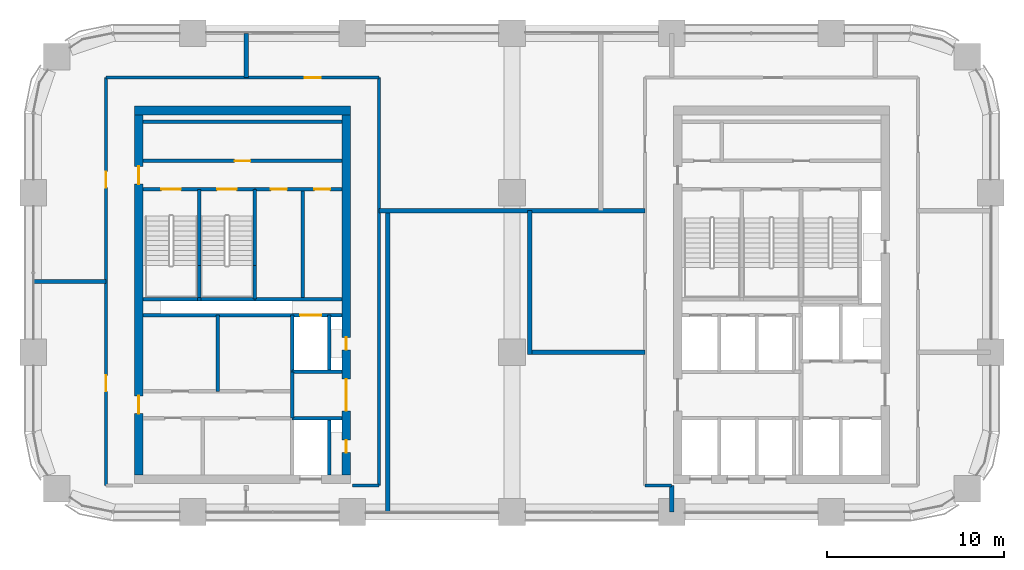
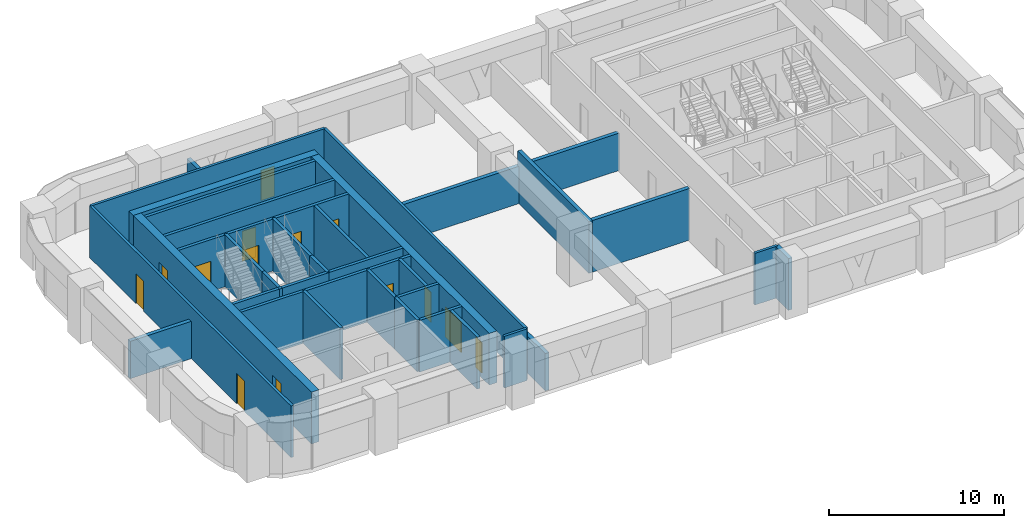
# One storey, part 9 of 14: 36 walls, 14 doors, 14 openings.
"""IFC4 building model written with IfcOpenShell, lengths in metres."""

from ifc_helpers import new_model, si_unit, direction, frame, frame_2d, origin, place, context, subcontext, project, spatial, rectangle, extrude, material, layer, layer_set, type_object, element, fill, save


model = new_model("IFC4")

# Units and contexts
model_context = context("Model", 3, precision=1e-05, world=origin(), true_north=direction((0.0, 1.0)))
body_context = subcontext(model_context, "Body", "Model", "MODEL_VIEW")
ifc_project = project(units=[si_unit("LENGTHUNIT", "METRE"), si_unit("AREAUNIT", "SQUARE_METRE"), si_unit("VOLUMEUNIT", "CUBIC_METRE"), si_unit("PLANEANGLEUNIT", "RADIAN"), si_unit("MASSUNIT", "GRAM", prefix="KILO")], contexts=[model_context])

# Site, building, storey
site_placement = place(None, origin())
site = spatial("IfcSite", under=ifc_project, at=site_placement, CompositionType="ELEMENT")
building_placement = place(site_placement, origin())
building = spatial("IfcBuilding", under=site, at=building_placement, Name="Tessera Arch", CompositionType="ELEMENT")
storey_placement = place(building_placement, frame((0.0, 0.0, 138.800048828125)))
storey = spatial("IfcBuildingStorey", under=building, at=storey_placement, Name="L32", CompositionType="ELEMENT", Elevation=138.800048828125)

# Walls
ifc_material_1 = material(Name="Gypsum board on steel stud", Category="steel")
ifc_layer_1 = layer(ifc_material_1, 0.125)
ifc_layer_set_1 = layer_set([ifc_layer_1], Name="Core partition 125 EI 60")
wall_type_1 = type_object("IfcWallType", Name="Core partition 125 EI 60", PredefinedType="PARTITIONING", material=ifc_layer_set_1)
wall_1_placement = place(storey_placement, frame((10.39990234375, 33.800048828125, 0.0), z_axis=(0.0, 0.0, 1.0), x_axis=(0.0, 1.0, 0.0)))
element("IfcWall", 1, at=wall_1_placement, inside=storey, type_object=wall_type_1, Name="L32 C2 partition wall 4", PredefinedType="PARTITIONING", context=body_context, shape_type="SweptSolid", body=[
    extrude(rectangle(XDim=4.300048828125, YDim=0.199951171875, at=frame_2d((2.14990234375, 0.0))), origin(), (0.0, 0.0, 1.0), 3.599853515625),
])
wall_2_placement = place(storey_placement, frame((14.60009765625, 32.300048828125, 0.0), z_axis=(0.0, 0.0, 1.0), x_axis=(0.0, 1.0, 0.0)))
element("IfcWall", 2, at=wall_2_placement, inside=storey, type_object=wall_type_1, Name="L32 C2 partition wall 7", PredefinedType="PARTITIONING", context=body_context, shape_type="SweptSolid", body=[
    extrude(rectangle(XDim=2.599853515625, YDim=0.199951171875, at=frame_2d((1.2998046875, 0.0))), origin(), (0.0, 0.0, 1.0), 3.599853515625),
])
wall_3_placement = place(storey_placement, frame((15.195068359375, 39.0, 0.0), z_axis=(0.0, 0.0, 1.0), x_axis=(0.0, 1.0, 0.0)))
element("IfcWall", 3, at=wall_3_placement, inside=storey, type_object=wall_type_1, Name="L32 C2 partition wall 10", PredefinedType="PARTITIONING", context=body_context, shape_type="SweptSolid", body=[
    extrude(rectangle(XDim=6.199951171875, YDim=0.199951171875, at=frame_2d((3.10009765625, 0.0))), origin(), (0.0, 0.0, 1.0), 3.599853515625),
])

# Wall, openings, doors
wall_4_placement = place(storey_placement, frame((12.5, 45.199951171875, 0.0), z_axis=(0.0, 0.0, 1.0), x_axis=(1.0, 0.0, 0.0)))
wall_4 = element("IfcWall", 4, at=wall_4_placement, inside=storey, type_object=wall_type_1, Name="L32 C2 partition wall 22", PredefinedType="PARTITIONING", context=body_context, shape_type="SweptSolid", body=[
    extrude(rectangle(XDim=4.89990234375, YDim=0.199951171875, at=frame_2d((2.449951171875, 0.0))), origin(), (0.0, 0.0, 1.0), 3.599853515625),
])
opening_1_placement = place(wall_4_placement, frame((0.8974609375, 0.0, 0.0)))
opening_1 = element("IfcOpeningElement", 5, at=opening_1_placement, cuts=wall_4, Name="Opening L32-C30", PredefinedType="OPENING", context=body_context, shape_type="SweptSolid", body=[
    extrude(rectangle(XDim=0.89990234375, YDim=2.10009765625, at=frame_2d((0.449951171875, 1.050048828125))), frame((0.0, 0.10986328125, 0.0), z_axis=(0.0, -1.0, 0.0), x_axis=(1.0, 0.0, 0.0)), (0.0, 0.0, 1.0), 0.219970703125),
])
opening_2_placement = place(wall_4_placement, frame((3.347412109375, 0.0, 0.0)))
opening_2 = element("IfcOpeningElement", 6, at=opening_2_placement, cuts=wall_4, Name="Opening L32-C31", PredefinedType="OPENING", context=body_context, shape_type="SweptSolid", body=[
    extrude(rectangle(XDim=0.89990234375, YDim=2.10009765625, at=frame_2d((0.449951171875, 1.050048828125))), frame((0.0, 0.10986328125, 0.0), z_axis=(0.0, -1.0, 0.0), x_axis=(1.0, 0.0, 0.0)), (0.0, 0.0, 1.0), 0.219970703125),
])
ifc_material_2 = material(Name="Steel door leaf", Category="steel")
door_type_1 = type_object("IfcDoorType", Name="Store door FD30S 900 x 2100", OperationType="SINGLE_SWING_LEFT", PredefinedType="DOOR", material=ifc_material_2)
door_1_placement = place(opening_1_placement, origin())
door_1 = element("IfcDoor", 7, at=door_1_placement, inside=storey, type_object=door_type_1, Name="L32 C2 door 11 C30 type D09", OperationType="SINGLE_SWING_LEFT", OverallHeight=2.10009765625, OverallWidth=0.89990234375, PredefinedType="DOOR", context=body_context, shape_type="SweptSolid", body=[
    extrude(rectangle(XDim=0.89990234375, YDim=2.10009765625, at=frame_2d((0.449951171875, 1.050048828125))), frame((0.0, 0.02490234375, 0.0), z_axis=(0.0, -1.0, 0.0), x_axis=(1.0, 0.0, 0.0)), (0.0, 0.0, 1.0), 0.050048828125),
])
fill(opening_1, door_1)
door_2_placement = place(opening_2_placement, origin())
door_2 = element("IfcDoor", 8, at=door_2_placement, inside=storey, type_object=door_type_1, Name="L32 C2 door 12 C31 type D09", OperationType="SINGLE_SWING_RIGHT", OverallHeight=2.10009765625, OverallWidth=0.89990234375, PredefinedType="DOOR", context=body_context, shape_type="SweptSolid", body=[
    extrude(rectangle(XDim=0.89990234375, YDim=2.10009765625, at=frame_2d((0.449951171875, 1.050048828125))), frame((0.0, 0.02490234375, 0.0), z_axis=(0.0, -1.0, 0.0), x_axis=(1.0, 0.0, 0.0)), (0.0, 0.0, 1.0), 0.050048828125),
])
fill(opening_2, door_2)

# Wall, opening, door
wall_5_placement = place(storey_placement, frame((6.199951171875, 46.800048828125, 0.0), z_axis=(0.0, 0.0, 1.0), x_axis=(1.0, 0.0, 0.0)))
wall_5 = element("IfcWall", 9, at=wall_5_placement, inside=storey, type_object=wall_type_1, Name="L32 C2 partition wall 24", PredefinedType="PARTITIONING", context=body_context, shape_type="SweptSolid", body=[
    extrude(rectangle(XDim=11.199951171875, YDim=0.199951171875, at=frame_2d((5.60009765625, 0.0))), origin(), (0.0, 0.0, 1.0), 3.599853515625),
])
opening_3_placement = place(wall_5_placement, frame((5.14990234375, 0.0, 0.0)))
opening_3 = element("IfcOpeningElement", 10, at=opening_3_placement, cuts=wall_5, Name="Opening L32-C29", PredefinedType="OPENING", context=body_context, shape_type="SweptSolid", body=[
    extrude(rectangle(XDim=0.89990234375, YDim=2.10009765625, at=frame_2d((0.449951171875, 1.050048828125))), frame((0.0, 0.10986328125, 0.0), z_axis=(0.0, -1.0, 0.0), x_axis=(1.0, 0.0, 0.0)), (0.0, 0.0, 1.0), 0.219970703125),
])
door_3_placement = place(opening_3_placement, origin())
door_3 = element("IfcDoor", 11, at=door_3_placement, inside=storey, type_object=door_type_1, Name="L32 C2 door 10 C29 type D09", OperationType="SINGLE_SWING_RIGHT", OverallHeight=2.10009765625, OverallWidth=0.89990234375, PredefinedType="DOOR", context=body_context, shape_type="SweptSolid", body=[
    extrude(rectangle(XDim=0.89990234375, YDim=2.10009765625, at=frame_2d((0.449951171875, 1.050048828125))), frame((0.0, 0.02490234375, 0.0), z_axis=(0.0, -1.0, 0.0), x_axis=(1.0, 0.0, 0.0)), (0.0, 0.0, 1.0), 0.050048828125),
])
fill(opening_3, door_3)

# Walls
wall_6_placement = place(storey_placement, frame((6.199951171875, 49.0, 0.0), z_axis=(0.0, 0.0, 1.0), x_axis=(1.0, 0.0, 0.0)))
element("IfcWall", 12, at=wall_6_placement, inside=storey, type_object=wall_type_1, Name="L32 C2 partition wall 25", PredefinedType="PARTITIONING", context=body_context, shape_type="SweptSolid", body=[
    extrude(rectangle(XDim=11.199951171875, YDim=0.199951171875, at=frame_2d((5.60009765625, 0.0))), origin(), (0.0, 0.0, 1.0), 3.599853515625),
])
ifc_material_3 = material(Name="Concrete C60/75", Category="concrete")
ifc_layer_2 = layer(ifc_material_3, 0.5)
ifc_layer_set_2 = layer_set([ifc_layer_2], Name="Core shell wall 500 C60-75")
wall_type_2 = type_object("IfcWallType", Name="Core shell wall 500 C60-75", PredefinedType="SHEAR", material=ifc_layer_set_2)
wall_7_placement = place(storey_placement, frame((5.699951171875, 49.64990234375, 0.0), z_axis=(0.0, 0.0, 1.0), x_axis=(1.0, 0.0, 0.0)))
element("IfcWall", 13, at=wall_7_placement, inside=storey, type_object=wall_type_2, Name="L32 C2 core wall N", PredefinedType="SHEAR", context=body_context, shape_type="SweptSolid", body=[
    extrude(rectangle(XDim=12.199951171875, YDim=0.5, at=frame_2d((6.10009765625, 0.0))), origin(), (0.0, 0.0, 1.0), 3.599853515625),
])

# Wall, openings, doors
wall_8_placement = place(storey_placement, frame((5.949951171875, 29.10009765625, 0.0), z_axis=(0.0, 0.0, 1.0), x_axis=(0.0, 1.0, 0.0)))
wall_8 = element("IfcWall", 14, at=wall_8_placement, inside=storey, type_object=wall_type_2, Name="L32 C2 core wall W", PredefinedType="SHEAR", context=body_context, shape_type="SweptSolid", body=[
    extrude(rectangle(XDim=20.2998046875, YDim=0.5, at=frame_2d((10.14990234375, 0.0))), origin(), (0.0, 0.0, 1.0), 3.599853515625),
])
opening_4_placement = place(wall_8_placement, frame((3.449951171875, 0.0, 0.0)))
opening_4 = element("IfcOpeningElement", 15, at=opening_4_placement, cuts=wall_8, Name="Opening L32-C27", PredefinedType="OPENING", context=body_context, shape_type="SweptSolid", body=[
    extrude(rectangle(XDim=1.0, YDim=2.10009765625, at=frame_2d((0.5, 1.050048828125))), frame((0.0, 0.260009765625, 0.0), z_axis=(0.0, -1.0, 0.0), x_axis=(1.0, 0.0, 0.0)), (0.0, 0.0, 1.0), 0.52001953125),
])
opening_5_placement = place(wall_8_placement, frame((16.39990234375, 0.0, 0.0)))
opening_5 = element("IfcOpeningElement", 16, at=opening_5_placement, cuts=wall_8, Name="Opening L32-C28", PredefinedType="OPENING", context=body_context, shape_type="SweptSolid", body=[
    extrude(rectangle(XDim=1.0, YDim=2.10009765625, at=frame_2d((0.5, 1.050048828125))), frame((0.0, 0.260009765625, 0.0), z_axis=(0.0, -1.0, 0.0), x_axis=(1.0, 0.0, 0.0)), (0.0, 0.0, 1.0), 0.52001953125),
])
ifc_material_4 = material(Name="Steel door leaf", Category="steel")
door_type_2 = type_object("IfcDoorType", Name="Corridor door FD60 1000 x 2100", OperationType="SINGLE_SWING_LEFT", PredefinedType="DOOR", material=ifc_material_4)
door_4_placement = place(opening_4_placement, origin())
door_4 = element("IfcDoor", 17, at=door_4_placement, inside=storey, type_object=door_type_2, Name="L32 C2 door 8 C27 type D12", OperationType="SINGLE_SWING_LEFT", OverallHeight=2.10009765625, OverallWidth=1.0, PredefinedType="DOOR", context=body_context, shape_type="SweptSolid", body=[
    extrude(rectangle(XDim=1.0, YDim=2.10009765625, at=frame_2d((0.5, 1.050048828125))), frame((0.0, 0.02490234375, 0.0), z_axis=(0.0, -1.0, 0.0), x_axis=(1.0, 0.0, 0.0)), (0.0, 0.0, 1.0), 0.050048828125),
])
fill(opening_4, door_4)
door_5_placement = place(opening_5_placement, origin())
door_5 = element("IfcDoor", 18, at=door_5_placement, inside=storey, type_object=door_type_2, Name="L32 C2 door 9 C28 type D12", OperationType="SINGLE_SWING_RIGHT", OverallHeight=2.10009765625, OverallWidth=1.0, PredefinedType="DOOR", context=body_context, shape_type="SweptSolid", body=[
    extrude(rectangle(XDim=1.0, YDim=2.10009765625, at=frame_2d((0.5, 1.050048828125))), frame((0.0, 0.02490234375, 0.0), z_axis=(0.0, -1.0, 0.0), x_axis=(1.0, 0.0, 0.0)), (0.0, 0.0, 1.0), 0.050048828125),
])
fill(opening_5, door_5)

wall_9_placement = place(storey_placement, frame((17.64990234375, 29.10009765625, 0.0), z_axis=(0.0, 0.0, 1.0), x_axis=(0.0, 1.0, 0.0)))
wall_9 = element("IfcWall", 19, at=wall_9_placement, inside=storey, type_object=wall_type_2, Name="L32 C2 core wall E", PredefinedType="SHEAR", context=body_context, shape_type="SweptSolid", body=[
    extrude(rectangle(XDim=20.2998046875, YDim=0.5, at=frame_2d((10.14990234375, 0.0))), origin(), (0.0, 0.0, 1.0), 3.599853515625),
])
opening_6_placement = place(wall_9_placement, frame((1.25, 0.0, 0.0)))
opening_6 = element("IfcOpeningElement", 20, at=opening_6_placement, cuts=wall_9, Name="Opening L32-C22", PredefinedType="OPENING", context=body_context, shape_type="SweptSolid", body=[
    extrude(rectangle(XDim=0.699951171875, YDim=2.10009765625, at=frame_2d((0.35009765625, 1.050048828125))), frame((0.0, 0.260009765625, 0.0), z_axis=(0.0, -1.0, 0.0), x_axis=(1.0, 0.0, 0.0)), (0.0, 0.0, 1.0), 0.52001953125),
])
opening_7_placement = place(wall_9_placement, frame((7.050048828125, 0.0, 0.0)))
opening_7 = element("IfcOpeningElement", 21, at=opening_7_placement, cuts=wall_9, Name="Opening L32-C23", PredefinedType="OPENING", context=body_context, shape_type="SweptSolid", body=[
    extrude(rectangle(XDim=0.699951171875, YDim=2.10009765625, at=frame_2d((0.35009765625, 1.050048828125))), frame((0.0, 0.260009765625, 0.0), z_axis=(0.0, -1.0, 0.0), x_axis=(1.0, 0.0, 0.0)), (0.0, 0.0, 1.0), 0.52001953125),
])
opening_8_placement = place(wall_9_placement, frame((3.60009765625, 0.0, 0.0)))
opening_8 = element("IfcOpeningElement", 22, at=opening_8_placement, cuts=wall_9, Name="Opening L32-C26", PredefinedType="OPENING", context=body_context, shape_type="SweptSolid", body=[
    extrude(rectangle(XDim=1.800048828125, YDim=2.10009765625, at=frame_2d((0.89990234375, 1.050048828125))), frame((0.0, 0.260009765625, 0.0), z_axis=(0.0, -1.0, 0.0), x_axis=(1.0, 0.0, 0.0)), (0.0, 0.0, 1.0), 0.52001953125),
])
ifc_material_5 = material(Name="Glazed steel door leaf", Category="steel")
door_type_3 = type_object("IfcDoorType", Name="Lobby double door FD30S 1800 x 2100", OperationType="DOUBLE_DOOR_SINGLE_SWING", PredefinedType="DOOR", material=ifc_material_5)
door_6_placement = place(opening_8_placement, origin())
door_6 = element("IfcDoor", 23, at=door_6_placement, inside=storey, type_object=door_type_3, Name="L32 C2 door 7 C26 type D06", OperationType="DOUBLE_DOOR_SINGLE_SWING", OverallHeight=2.10009765625, OverallWidth=1.800048828125, PredefinedType="DOOR", context=body_context, shape_type="SweptSolid", body=[
    extrude(rectangle(XDim=1.800048828125, YDim=2.10009765625, at=frame_2d((0.89990234375, 1.050048828125))), frame((0.0, 0.02490234375, 0.0), z_axis=(0.0, -1.0, 0.0), x_axis=(1.0, 0.0, 0.0)), (0.0, 0.0, 1.0), 0.050048828125),
])
fill(opening_8, door_6)
ifc_material_6 = material(Name="Steel door leaf", Category="steel")
door_type_4 = type_object("IfcDoorType", Name="Service shaft door FD60 700 x 2100", OperationType="SINGLE_SWING_LEFT", PredefinedType="DOOR", material=ifc_material_6)
door_7_placement = place(opening_6_placement, origin())
door_7 = element("IfcDoor", 24, at=door_7_placement, inside=storey, type_object=door_type_4, Name="L32 C2 door 3 C22 type D07", OperationType="SINGLE_SWING_LEFT", OverallHeight=2.10009765625, OverallWidth=0.699951171875, PredefinedType="DOOR", context=body_context, shape_type="SweptSolid", body=[
    extrude(rectangle(XDim=0.699951171875, YDim=2.10009765625, at=frame_2d((0.35009765625, 1.050048828125))), frame((0.0, 0.02490234375, 0.0), z_axis=(0.0, -1.0, 0.0), x_axis=(1.0, 0.0, 0.0)), (0.0, 0.0, 1.0), 0.050048828125),
])
fill(opening_6, door_7)
door_8_placement = place(opening_7_placement, origin())
door_8 = element("IfcDoor", 25, at=door_8_placement, inside=storey, type_object=door_type_4, Name="L32 C2 door 4 C23 type D07", OperationType="SINGLE_SWING_LEFT", OverallHeight=2.10009765625, OverallWidth=0.699951171875, PredefinedType="DOOR", context=body_context, shape_type="SweptSolid", body=[
    extrude(rectangle(XDim=0.699951171875, YDim=2.10009765625, at=frame_2d((0.35009765625, 1.050048828125))), frame((0.0, 0.02490234375, 0.0), z_axis=(0.0, -1.0, 0.0), x_axis=(1.0, 0.0, 0.0)), (0.0, 0.0, 1.0), 0.050048828125),
])
fill(opening_7, door_8)

# Walls
ifc_material_7 = material(Name="Gypsum board on deep steel stud with mineral wool", Category="steel")
ifc_layer_3 = layer(ifc_material_7, 0.175048828125)
ifc_layer_set_3 = layer_set([ifc_layer_3], Name="Corridor wall 175 EI 60")
wall_type_3 = type_object("IfcWallType", Name="Corridor wall 175 EI 60", PredefinedType="PARTITIONING", material=ifc_layer_set_3)
for number, where, z_axis, x_axis, name in (
    (26, (18.0, 28.5, 0.0), (0.0, 0.0, 1.0), (1.0, 0.0, 0.0), "L32 partition 2"),
    (27, (34.5, 28.5, 0.0), (0.0, 0.0, 1.0), (1.0, 0.0, 0.0), "L32 partition 3"),
):
    element("IfcWall", number, at=place(storey_placement, frame(where, z_axis=z_axis, x_axis=x_axis)), inside=storey, type_object=wall_type_3, Name=name, PredefinedType="PARTITIONING", context=body_context, shape_type="SweptSolid", body=[
        extrude(rectangle(XDim=1.5, YDim=0.175048828125, at=frame_2d((0.75, 0.0))), origin(), (0.0, 0.0, 1.0), 3.599853515625),
    ])

# Wall, opening, door
wall_10_placement = place(storey_placement, frame((4.10009765625, 51.5, 0.0), z_axis=(0.0, 0.0, 1.0), x_axis=(1.0, 0.0, 0.0)))
wall_10 = element("IfcWall", 28, at=wall_10_placement, inside=storey, type_object=wall_type_3, Name="L32 partition 5", PredefinedType="PARTITIONING", context=body_context, shape_type="SweptSolid", body=[
    extrude(rectangle(XDim=15.39990234375, YDim=0.175048828125, at=frame_2d((7.699951171875, 0.0))), origin(), (0.0, 0.0, 1.0), 3.599853515625),
])
opening_9_placement = place(wall_10_placement, frame((11.199951171875, 0.0, 0.0)))
opening_9 = element("IfcOpeningElement", 29, at=opening_9_placement, cuts=wall_10, Name="Opening L32-D008", PredefinedType="OPENING", context=body_context, shape_type="SweptSolid", body=[
    extrude(rectangle(XDim=0.89990234375, YDim=2.10009765625, at=frame_2d((0.449951171875, 1.050048828125))), frame((0.0, 0.097412109375, 0.0), z_axis=(0.0, -1.0, 0.0), x_axis=(1.0, 0.0, 0.0)), (0.0, 0.0, 1.0), 0.195068359375),
])
ifc_material_8 = material(Name="Timber door leaf", Category="wood")
door_type_5 = type_object("IfcDoorType", Name="Room door 900 x 2100", OperationType="SINGLE_SWING_LEFT", PredefinedType="DOOR", material=ifc_material_8)
door_9_placement = place(opening_9_placement, origin())
door_9 = element("IfcDoor", 30, at=door_9_placement, inside=storey, type_object=door_type_5, Name="L32 door D008 type D01", OperationType="SINGLE_SWING_LEFT", OverallHeight=2.10009765625, OverallWidth=0.89990234375, PredefinedType="DOOR", context=body_context, shape_type="SweptSolid", body=[
    extrude(rectangle(XDim=0.89990234375, YDim=2.10009765625, at=frame_2d((0.449951171875, 1.050048828125))), frame((0.0, 0.02490234375, 0.0), z_axis=(0.0, -1.0, 0.0), x_axis=(1.0, 0.0, 0.0)), (0.0, 0.0, 1.0), 0.050048828125),
])
fill(opening_9, door_9)

# Wall, openings, doors
wall_11_placement = place(storey_placement, frame((4.10009765625, 28.5, 0.0), z_axis=(0.0, 0.0, 1.0), x_axis=(0.0, 1.0, 0.0)))
wall_11 = element("IfcWall", 31, at=wall_11_placement, inside=storey, type_object=wall_type_3, Name="L32 partition 7", PredefinedType="PARTITIONING", context=body_context, shape_type="SweptSolid", body=[
    extrude(rectangle(XDim=23.0, YDim=0.175048828125, at=frame_2d((11.5, 0.0))), origin(), (0.0, 0.0, 1.0), 3.599853515625),
])
opening_10_placement = place(wall_11_placement, frame((5.300048828125, 0.0, 0.0)))
opening_10 = element("IfcOpeningElement", 32, at=opening_10_placement, cuts=wall_11, Name="Opening L32-D002", PredefinedType="OPENING", context=body_context, shape_type="SweptSolid", body=[
    extrude(rectangle(XDim=0.89990234375, YDim=2.10009765625, at=frame_2d((0.449951171875, 1.050048828125))), frame((0.0, 0.097412109375, 0.0), z_axis=(0.0, -1.0, 0.0), x_axis=(1.0, 0.0, 0.0)), (0.0, 0.0, 1.0), 0.195068359375),
])
opening_11_placement = place(wall_11_placement, frame((16.800048828125, 0.0, 0.0)))
opening_11 = element("IfcOpeningElement", 33, at=opening_11_placement, cuts=wall_11, Name="Opening L32-D006", PredefinedType="OPENING", context=body_context, shape_type="SweptSolid", body=[
    extrude(rectangle(XDim=0.89990234375, YDim=2.10009765625, at=frame_2d((0.449951171875, 1.050048828125))), frame((0.0, 0.097412109375, 0.0), z_axis=(0.0, -1.0, 0.0), x_axis=(1.0, 0.0, 0.0)), (0.0, 0.0, 1.0), 0.195068359375),
])
door_10_placement = place(opening_10_placement, origin())
door_10 = element("IfcDoor", 34, at=door_10_placement, inside=storey, type_object=door_type_5, Name="L32 door D002 type D01", OperationType="SINGLE_SWING_LEFT", OverallHeight=2.10009765625, OverallWidth=0.89990234375, PredefinedType="DOOR", context=body_context, shape_type="SweptSolid", body=[
    extrude(rectangle(XDim=0.89990234375, YDim=2.10009765625, at=frame_2d((0.449951171875, 1.050048828125))), frame((0.0, 0.02490234375, 0.0), z_axis=(0.0, -1.0, 0.0), x_axis=(1.0, 0.0, 0.0)), (0.0, 0.0, 1.0), 0.050048828125),
])
fill(opening_10, door_10)
door_11_placement = place(opening_11_placement, origin())
door_11 = element("IfcDoor", 35, at=door_11_placement, inside=storey, type_object=door_type_5, Name="L32 door D006 type D01", OperationType="SINGLE_SWING_LEFT", OverallHeight=2.10009765625, OverallWidth=0.89990234375, PredefinedType="DOOR", context=body_context, shape_type="SweptSolid", body=[
    extrude(rectangle(XDim=0.89990234375, YDim=2.10009765625, at=frame_2d((0.449951171875, 1.050048828125))), frame((0.0, 0.02490234375, 0.0), z_axis=(0.0, -1.0, 0.0), x_axis=(1.0, 0.0, 0.0)), (0.0, 0.0, 1.0), 0.050048828125),
])
fill(opening_11, door_11)

# Walls
wall_12_placement = place(storey_placement, frame((19.5, 28.5, 0.0), z_axis=(0.0, 0.0, 1.0), x_axis=(0.0, 1.0, 0.0)))
element("IfcWall", 36, at=wall_12_placement, inside=storey, type_object=wall_type_3, Name="L32 partition 8", PredefinedType="PARTITIONING", context=body_context, shape_type="SweptSolid", body=[
    extrude(rectangle(XDim=23.0, YDim=0.175048828125, at=frame_2d((11.5, 0.0))), origin(), (0.0, 0.0, 1.0), 3.599853515625),
])
ifc_material_9 = material(Name="Double gypsum board on twin steel stud with acoustic mineral wool", Category="steel")
ifc_layer_4 = layer(ifc_material_9, 0.25)
ifc_layer_set_4 = layer_set([ifc_layer_4], Name="Party wall 250 EI 60")
wall_type_4 = type_object("IfcWallType", Name="Party wall 250 EI 60", PredefinedType="PARTITIONING", material=ifc_layer_set_4)
wall_13_placement = place(storey_placement, frame((28.125, 36.0, 0.0), z_axis=(0.0, 0.0, 1.0), x_axis=(1.0, 0.0, 0.0)))
element("IfcWall", 37, at=wall_13_placement, inside=storey, type_object=wall_type_4, Name="L32 partition 11", PredefinedType="PARTITIONING", context=body_context, shape_type="SweptSolid", body=[
    extrude(rectangle(XDim=6.375, YDim=0.25, at=frame_2d((3.1875, 0.0))), origin(), (0.0, 0.0, 1.0), 3.599853515625),
])
wall_14_placement = place(storey_placement, frame((0.0, 40.0, 0.0), z_axis=(0.0, 0.0, 1.0), x_axis=(1.0, 0.0, 0.0)))
element("IfcWall", 38, at=wall_14_placement, inside=storey, type_object=wall_type_4, Name="L32 partition 13", PredefinedType="PARTITIONING", context=body_context, shape_type="SweptSolid", body=[
    extrude(rectangle(XDim=4.10009765625, YDim=0.25, at=frame_2d((2.050048828125, 0.0))), origin(), (0.0, 0.0, 1.0), 2.599853515625),
])
wall_15_placement = place(storey_placement, frame((19.5, 44.0, 0.0), z_axis=(0.0, 0.0, 1.0), x_axis=(1.0, 0.0, 0.0)))
element("IfcWall", 39, at=wall_15_placement, inside=storey, type_object=wall_type_4, Name="L32 partition 14", PredefinedType="PARTITIONING", context=body_context, shape_type="SweptSolid", body=[
    extrude(rectangle(XDim=15.0, YDim=0.25, at=frame_2d((7.5, 0.0))), origin(), (0.0, 0.0, 1.0), 2.599853515625),
])
wall_16_placement = place(storey_placement, frame((12.0, 51.5, 0.0), z_axis=(0.0, 0.0, 1.0), x_axis=(0.0, 1.0, 0.0)))
element("IfcWall", 40, at=wall_16_placement, inside=storey, type_object=wall_type_4, Name="L32 partition 17", PredefinedType="PARTITIONING", context=body_context, shape_type="SweptSolid", body=[
    extrude(rectangle(XDim=2.5, YDim=0.25, at=frame_2d((1.25, 0.0))), origin(), (0.0, 0.0, 1.0), 2.599853515625),
])
wall_17_placement = place(storey_placement, frame((20.0, 27.0, 0.0), z_axis=(0.0, 0.0, 1.0), x_axis=(0.0, 1.0, 0.0)))
element("IfcWall", 41, at=wall_17_placement, inside=storey, type_object=wall_type_4, Name="L32 partition 18", PredefinedType="PARTITIONING", context=body_context, shape_type="SweptSolid", body=[
    extrude(rectangle(XDim=17.0, YDim=0.25, at=frame_2d((8.5, 0.0))), origin(), (0.0, 0.0, 1.0), 2.599853515625),
])
wall_18_placement = place(storey_placement, frame((28.0, 35.875, 0.0), z_axis=(0.0, 0.0, 1.0), x_axis=(0.0, 1.0, 0.0)))
element("IfcWall", 42, at=wall_18_placement, inside=storey, type_object=wall_type_4, Name="L32 partition 19", PredefinedType="PARTITIONING", context=body_context, shape_type="SweptSolid", body=[
    extrude(rectangle(XDim=8.125, YDim=0.25, at=frame_2d((4.0625, 0.0))), origin(), (0.0, 0.0, 1.0), 3.599853515625),
])
wall_19_placement = place(storey_placement, frame((36.0, 27.0, 0.0), z_axis=(0.0, 0.0, 1.0), x_axis=(0.0, 1.0, 0.0)))
element("IfcWall", 43, at=wall_19_placement, inside=storey, type_object=wall_type_4, Name="L32 partition 21", PredefinedType="PARTITIONING", context=body_context, shape_type="SweptSolid", body=[
    extrude(rectangle(XDim=1.5, YDim=0.25, at=frame_2d((0.75, 0.0))), origin(), (0.0, 0.0, 1.0), 3.599853515625),
])
ifc_material_10 = material(Name="Concrete C40/50", Category="concrete")
ifc_layer_5 = layer(ifc_material_10, 0.199951171875)
ifc_layer_set_5 = layer_set([ifc_layer_5], Name="Shaft wall 200 EI 120")
wall_type_5 = type_object("IfcWallType", Name="Shaft wall 200 EI 120", PredefinedType="SOLIDWALL", material=ifc_layer_set_5)
wall_20_placement = place(storey_placement, frame((14.60009765625, 34.89990234375, 0.0), z_axis=(0.0, 0.0, 1.0), x_axis=(0.0, 1.0, 0.0)))
element("IfcWall", 44, at=wall_20_placement, inside=storey, type_object=wall_type_5, Name="L32 C2 shaft wall 9", PredefinedType="SOLIDWALL", context=body_context, shape_type="SweptSolid", body=[
    extrude(rectangle(XDim=3.2001953125, YDim=0.199951171875, at=frame_2d((1.60009765625, 0.0))), origin(), (0.0, 0.0, 1.0), 3.599853515625),
])
wall_21_placement = place(storey_placement, frame((16.699951171875, 29.10009765625, 0.0), z_axis=(0.0, 0.0, 1.0), x_axis=(0.0, 1.0, 0.0)))
element("IfcWall", 45, at=wall_21_placement, inside=storey, type_object=wall_type_5, Name="L32 C2 shaft wall 11", PredefinedType="SOLIDWALL", context=body_context, shape_type="SweptSolid", body=[
    extrude(rectangle(XDim=3.199951171875, YDim=0.199951171875, at=frame_2d((1.60009765625, 0.0))), origin(), (0.0, 0.0, 1.0), 3.599853515625),
])
wall_22_placement = place(storey_placement, frame((16.699951171875, 34.89990234375, 0.0), z_axis=(0.0, 0.0, 1.0), x_axis=(0.0, 1.0, 0.0)))
element("IfcWall", 46, at=wall_22_placement, inside=storey, type_object=wall_type_5, Name="L32 C2 shaft wall 12", PredefinedType="SOLIDWALL", context=body_context, shape_type="SweptSolid", body=[
    extrude(rectangle(XDim=3.2001953125, YDim=0.199951171875, at=frame_2d((1.60009765625, 0.0))), origin(), (0.0, 0.0, 1.0), 3.599853515625),
])
for number, where, z_axis, x_axis, name in (
    (47, (14.60009765625, 32.300048828125, 0.0), (0.0, 0.0, 1.0), (1.0, 0.0, 0.0), "L32 C2 shaft wall 14"),
    (48, (14.60009765625, 34.89990234375, 0.0), (0.0, 0.0, 1.0), (1.0, 0.0, 0.0), "L32 C2 shaft wall 16"),
):
    element("IfcWall", number, at=place(storey_placement, frame(where, z_axis=z_axis, x_axis=x_axis)), inside=storey, type_object=wall_type_5, Name=name, PredefinedType="SOLIDWALL", context=body_context, shape_type="SweptSolid", body=[
        extrude(rectangle(XDim=2.7998046875, YDim=0.199951171875, at=frame_2d((1.39990234375, 0.0))), origin(), (0.0, 0.0, 1.0), 3.599853515625),
    ])

# Wall, opening, door
wall_23_placement = place(storey_placement, frame((6.199951171875, 38.10009765625, 0.0), z_axis=(0.0, 0.0, 1.0), x_axis=(1.0, 0.0, 0.0)))
wall_23 = element("IfcWall", 49, at=wall_23_placement, inside=storey, type_object=wall_type_5, Name="L32 C2 shaft wall 17", PredefinedType="SOLIDWALL", context=body_context, shape_type="SweptSolid", body=[
    extrude(rectangle(XDim=11.199951171875, YDim=0.199951171875, at=frame_2d((5.60009765625, 0.0))), origin(), (0.0, 0.0, 1.0), 3.599853515625),
])
opening_12_placement = place(wall_23_placement, frame((8.85009765625, 0.0, 0.0)))
opening_12 = element("IfcOpeningElement", 50, at=opening_12_placement, cuts=wall_23, Name="Opening L32-C21", PredefinedType="OPENING", context=body_context, shape_type="SweptSolid", body=[
    extrude(rectangle(XDim=1.199951171875, YDim=2.10009765625, at=frame_2d((0.60009765625, 1.050048828125))), frame((0.0, 0.10986328125, 0.0), z_axis=(0.0, -1.0, 0.0), x_axis=(1.0, 0.0, 0.0)), (0.0, 0.0, 1.0), 0.219970703125),
])
ifc_material_11 = material(Name="Stainless steel AISI 304", Category="steel")
door_type_6 = type_object("IfcDoorType", Name="Sliding landing door 1200 x 2100", OperationType="SLIDING_TO_LEFT", PredefinedType="DOOR", material=ifc_material_11)
door_12_placement = place(opening_12_placement, origin())
door_12 = element("IfcDoor", 51, at=door_12_placement, inside=storey, type_object=door_type_6, Name="L32 HR8 lift landing door C21 type LD", OperationType="SLIDING_TO_LEFT", OverallHeight=2.10009765625, OverallWidth=1.199951171875, PredefinedType="DOOR", context=body_context, shape_type="SweptSolid", body=[
    extrude(rectangle(XDim=1.199951171875, YDim=2.10009765625, at=frame_2d((0.60009765625, 1.050048828125))), frame((0.0, 0.02490234375, 0.0), z_axis=(0.0, -1.0, 0.0), x_axis=(1.0, 0.0, 0.0)), (0.0, 0.0, 1.0), 0.050048828125),
])
fill(opening_12, door_12)

# Walls
wall_24_placement = place(storey_placement, frame((12.5, 39.0, 0.0), z_axis=(0.0, 0.0, 1.0), x_axis=(1.0, 0.0, 0.0)))
element("IfcWall", 52, at=wall_24_placement, inside=storey, type_object=wall_type_5, Name="L32 C2 shaft wall 18", PredefinedType="SOLIDWALL", context=body_context, shape_type="SweptSolid", body=[
    extrude(rectangle(XDim=4.89990234375, YDim=0.199951171875, at=frame_2d((2.449951171875, 0.0))), origin(), (0.0, 0.0, 1.0), 3.599853515625),
])
ifc_material_12 = material(Name="Concrete C40/50", Category="concrete")
ifc_layer_6 = layer(ifc_material_12, 0.199951171875)
ifc_layer_set_6 = layer_set([ifc_layer_6], Name="Stair well wall 200 REI 180")
wall_type_6 = type_object("IfcWallType", Name="Stair well wall 200 REI 180", PredefinedType="SOLIDWALL", material=ifc_layer_set_6)
wall_25_placement = place(storey_placement, frame((9.35009765625, 39.0, 0.0), z_axis=(0.0, 0.0, 1.0), x_axis=(0.0, 1.0, 0.0)))
element("IfcWall", 53, at=wall_25_placement, inside=storey, type_object=wall_type_6, Name="L32 C2 shaft wall 1", PredefinedType="SOLIDWALL", context=body_context, shape_type="SweptSolid", body=[
    extrude(rectangle(XDim=1.89990234375, YDim=0.199951171875, at=frame_2d((0.949951171875, 0.0))), origin(), (0.0, 0.0, 1.0), 3.599853515625),
])
wall_26_placement = place(storey_placement, frame((9.35009765625, 40.89990234375, 0.0), z_axis=(0.0, 0.0, 1.0), x_axis=(0.0, 1.0, 0.0)))
element("IfcWall", 54, at=wall_26_placement, inside=storey, type_object=wall_type_6, Name="L32 C2 shaft wall 2", PredefinedType="SOLIDWALL", context=body_context, shape_type="SweptSolid", body=[
    extrude(rectangle(XDim=4.300048828125, YDim=0.199951171875, at=frame_2d((2.14990234375, 0.0))), origin(), (0.0, 0.0, 1.0), 3.599853515625),
])
wall_27_placement = place(storey_placement, frame((12.5, 39.0, 0.0), z_axis=(0.0, 0.0, 1.0), x_axis=(0.0, 1.0, 0.0)))
element("IfcWall", 55, at=wall_27_placement, inside=storey, type_object=wall_type_6, Name="L32 C2 shaft wall 5", PredefinedType="SOLIDWALL", context=body_context, shape_type="SweptSolid", body=[
    extrude(rectangle(XDim=1.89990234375, YDim=0.199951171875, at=frame_2d((0.949951171875, 0.0))), origin(), (0.0, 0.0, 1.0), 3.599853515625),
])
wall_28_placement = place(storey_placement, frame((12.5, 40.89990234375, 0.0), z_axis=(0.0, 0.0, 1.0), x_axis=(0.0, 1.0, 0.0)))
element("IfcWall", 56, at=wall_28_placement, inside=storey, type_object=wall_type_6, Name="L32 C2 shaft wall 6", PredefinedType="SOLIDWALL", context=body_context, shape_type="SweptSolid", body=[
    extrude(rectangle(XDim=4.300048828125, YDim=0.199951171875, at=frame_2d((2.14990234375, 0.0))), origin(), (0.0, 0.0, 1.0), 3.599853515625),
])
wall_29_placement = place(storey_placement, frame((6.199951171875, 39.0, 0.0), z_axis=(0.0, 0.0, 1.0), x_axis=(1.0, 0.0, 0.0)))
element("IfcWall", 57, at=wall_29_placement, inside=storey, type_object=wall_type_6, Name="L32 C2 shaft wall 19", PredefinedType="SOLIDWALL", context=body_context, shape_type="SweptSolid", body=[
    extrude(rectangle(XDim=3.050048828125, YDim=0.199951171875, at=frame_2d((1.52490234375, 0.0))), origin(), (0.0, 0.0, 1.0), 3.599853515625),
])
wall_30_placement = place(storey_placement, frame((9.25, 39.0, 0.0), z_axis=(0.0, 0.0, 1.0), x_axis=(1.0, 0.0, 0.0)))
element("IfcWall", 58, at=wall_30_placement, inside=storey, type_object=wall_type_6, Name="L32 C2 shaft wall 20", PredefinedType="SOLIDWALL", context=body_context, shape_type="SweptSolid", body=[
    extrude(rectangle(XDim=0.199951171875, YDim=0.199951171875, at=frame_2d((0.10009765625, 0.0))), origin(), (0.0, 0.0, 1.0), 3.599853515625),
])
wall_31_placement = place(storey_placement, frame((9.449951171875, 39.0, 0.0), z_axis=(0.0, 0.0, 1.0), x_axis=(1.0, 0.0, 0.0)))
element("IfcWall", 59, at=wall_31_placement, inside=storey, type_object=wall_type_6, Name="L32 C2 shaft wall 21", PredefinedType="SOLIDWALL", context=body_context, shape_type="SweptSolid", body=[
    extrude(rectangle(XDim=3.050048828125, YDim=0.199951171875, at=frame_2d((1.52490234375, 0.0))), origin(), (0.0, 0.0, 1.0), 3.599853515625),
])

# Wall, openings, doors
wall_32_placement = place(storey_placement, frame((6.199951171875, 45.199951171875, 0.0), z_axis=(0.0, 0.0, 1.0), x_axis=(1.0, 0.0, 0.0)))
wall_32 = element("IfcWall", 60, at=wall_32_placement, inside=storey, type_object=wall_type_6, Name="L32 C2 shaft wall 23", PredefinedType="SOLIDWALL", context=body_context, shape_type="SweptSolid", body=[
    extrude(rectangle(XDim=6.300048828125, YDim=0.199951171875, at=frame_2d((3.14990234375, 0.0))), origin(), (0.0, 0.0, 1.0), 3.599853515625),
])
opening_13_placement = place(wall_32_placement, frame((1.02490234375, 0.0, 0.0)))
opening_13 = element("IfcOpeningElement", 61, at=opening_13_placement, cuts=wall_32, Name="Opening L32-C24", PredefinedType="OPENING", context=body_context, shape_type="SweptSolid", body=[
    extrude(rectangle(XDim=1.10009765625, YDim=2.10009765625, at=frame_2d((0.550048828125, 1.050048828125))), frame((0.0, 0.10986328125, 0.0), z_axis=(0.0, -1.0, 0.0), x_axis=(1.0, 0.0, 0.0)), (0.0, 0.0, 1.0), 0.219970703125),
])
opening_14_placement = place(wall_32_placement, frame((4.175048828125, 0.0, 0.0)))
opening_14 = element("IfcOpeningElement", 62, at=opening_14_placement, cuts=wall_32, Name="Opening L32-C25", PredefinedType="OPENING", context=body_context, shape_type="SweptSolid", body=[
    extrude(rectangle(XDim=1.10009765625, YDim=2.10009765625, at=frame_2d((0.550048828125, 1.050048828125))), frame((0.0, 0.10986328125, 0.0), z_axis=(0.0, -1.0, 0.0), x_axis=(1.0, 0.0, 0.0)), (0.0, 0.0, 1.0), 0.219970703125),
])
ifc_material_13 = material(Name="Steel door leaf", Category="steel")
door_type_7 = type_object("IfcDoorType", Name="Stair door FD60 1100 x 2100", OperationType="SINGLE_SWING_LEFT", PredefinedType="DOOR", material=ifc_material_13)
door_13_placement = place(opening_13_placement, origin())
door_13 = element("IfcDoor", 63, at=door_13_placement, inside=storey, type_object=door_type_7, Name="L32 C2 door 5 C24 type D05", OperationType="SINGLE_SWING_LEFT", OverallHeight=2.10009765625, OverallWidth=1.10009765625, PredefinedType="DOOR", context=body_context, shape_type="SweptSolid", body=[
    extrude(rectangle(XDim=1.10009765625, YDim=2.10009765625, at=frame_2d((0.550048828125, 1.050048828125))), frame((0.0, 0.02490234375, 0.0), z_axis=(0.0, -1.0, 0.0), x_axis=(1.0, 0.0, 0.0)), (0.0, 0.0, 1.0), 0.050048828125),
])
fill(opening_13, door_13)
door_14_placement = place(opening_14_placement, origin())
door_14 = element("IfcDoor", 64, at=door_14_placement, inside=storey, type_object=door_type_7, Name="L32 C2 door 6 C25 type D05", OperationType="SINGLE_SWING_RIGHT", OverallHeight=2.10009765625, OverallWidth=1.10009765625, PredefinedType="DOOR", context=body_context, shape_type="SweptSolid", body=[
    extrude(rectangle(XDim=1.10009765625, YDim=2.10009765625, at=frame_2d((0.550048828125, 1.050048828125))), frame((0.0, 0.02490234375, 0.0), z_axis=(0.0, -1.0, 0.0), x_axis=(1.0, 0.0, 0.0)), (0.0, 0.0, 1.0), 0.050048828125),
])
fill(opening_14, door_14)

save(model, "model.ifc")
